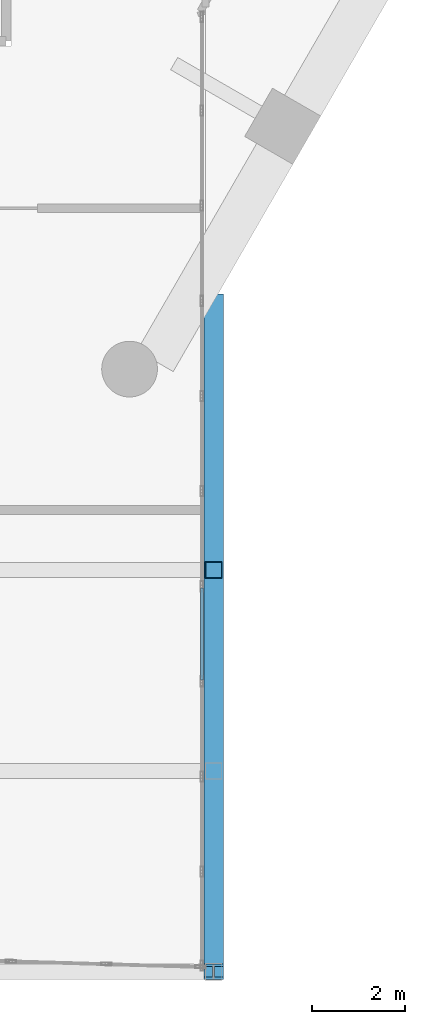
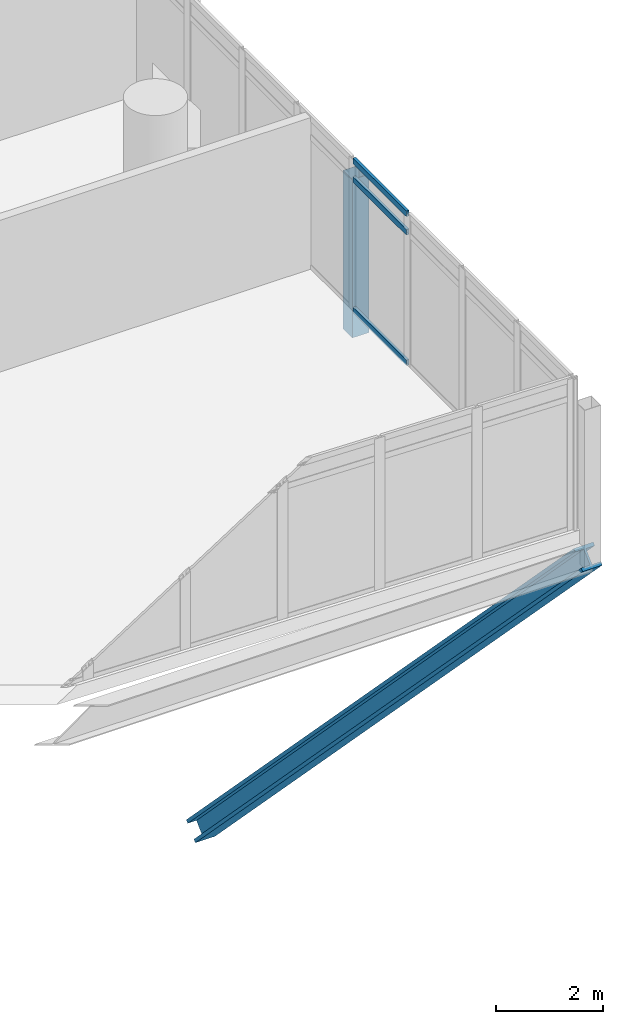
# One storey, part 13 of 37: 5 members, 1 element without a shape of its own.
"""IFC4 building model written with IfcOpenShell, lengths in metres."""

from ifc_helpers import new_model, si_unit, direction, frame, origin, origin_2d, place, context, subcontext, project, spatial, hollow_rectangle, i_section, extrude, material, material_profile, profile_set, type_object, element, aggregate, save


model = new_model("IFC4")

# Units and contexts
model_context = context("Model", 3, precision=1e-05, world=origin(), true_north=direction((0.0, 1.0)))
body_context = subcontext(model_context, "Body", "Model", "MODEL_VIEW")
ifc_project = project(units=[si_unit("LENGTHUNIT", "METRE"), si_unit("AREAUNIT", "SQUARE_METRE"), si_unit("VOLUMEUNIT", "CUBIC_METRE"), si_unit("PLANEANGLEUNIT", "RADIAN"), si_unit("MASSUNIT", "GRAM", prefix="KILO")], contexts=[model_context])

# Site, building, storey
site_placement = place(None, origin())
site = spatial("IfcSite", under=ifc_project, at=site_placement, CompositionType="ELEMENT")
building_placement = place(site_placement, origin())
building = spatial("IfcBuilding", under=site, at=building_placement, Name="Ostrander Bayou Hotel Tower", CompositionType="ELEMENT")
storey_placement = place(building_placement, frame((0.0, 0.0, 131.0)))
storey = spatial("IfcBuildingStorey", under=building, at=storey_placement, Name="L32", CompositionType="ELEMENT", Elevation=131.0)

# Curtain wall, members
ifc_material_1 = material(Name="Aluminium and clear glass", Category="aluminium")
curtain_wall_type = type_object("IfcCurtainWallType", Name="CW-BAR glazed wall", PredefinedType="NOTDEFINED", material=ifc_material_1)
curtain_wall_placement = place(storey_placement, origin())
curtain_wall = element("IfcCurtainWall", 1, at=curtain_wall_placement, inside=storey, type_object=curtain_wall_type, Name="CW-BAR L32:SB3S:W", PredefinedType="NOTDEFINED")
ifc_material_2 = material(Name="Aluminium", Category="aluminium")
ifc_material_profile_1 = material_profile(ifc_material_2, hollow_rectangle(XDim=0.06005859375, YDim=0.1298828125, WallThickness=0.00390625, at=origin_2d()))
ifc_profile_set_1 = profile_set([ifc_material_profile_1], Name="Aluminium")
member_type_1 = type_object("IfcMemberType", Name="CW-BR transom 60 x 130 mm", PredefinedType="USERDEFINED", material=ifc_profile_set_1)
member_1_placement = place(storey_placement, frame((13.3671875, -23.177490234375, 0.030029296875), z_axis=(0.0, -1.0, 0.0), x_axis=(1.0, 0.0, 0.0)))
member_1 = element("IfcMember", 2, at=member_1_placement, type_object=member_type_1, Name="CW-BAR transom 7.1", ObjectType="TRANSOM", PredefinedType="USERDEFINED", context=body_context, shape_type="SweptSolid", body=[
    extrude(hollow_rectangle(XDim=0.06005859375, YDim=0.1298828125, WallThickness=0.00390625, at=origin_2d()), origin(), (0.0, 0.0, 1.0), 1.990234375),
])
member_2_placement = place(storey_placement, frame((13.3671875, -23.177490234375, 3.0), z_axis=(0.0, -1.0, 0.0), x_axis=(1.0, 0.0, 0.0)))
member_2 = element("IfcMember", 3, at=member_2_placement, type_object=member_type_1, Name="CW-BAR transom 7.2", ObjectType="TRANSOM", PredefinedType="USERDEFINED", context=body_context, shape_type="SweptSolid", body=[
    extrude(hollow_rectangle(XDim=0.06005859375, YDim=0.1298828125, WallThickness=0.00390625, at=origin_2d()), origin(), (0.0, 0.0, 1.0), 1.990234375),
])
member_3_placement = place(storey_placement, frame((13.3671875, -23.177490234375, 3.419921875), z_axis=(0.0, -1.0, 0.0), x_axis=(1.0, 0.0, 0.0)))
member_3 = element("IfcMember", 4, at=member_3_placement, type_object=member_type_1, Name="CW-BAR transom 7.3", ObjectType="TRANSOM", PredefinedType="USERDEFINED", context=body_context, shape_type="SweptSolid", body=[
    extrude(hollow_rectangle(XDim=0.06005859375, YDim=0.1298828125, WallThickness=0.00390625, at=origin_2d()), origin(), (0.0, 0.0, 1.0), 1.990234375),
])
aggregate(curtain_wall, [member_1, member_2, member_3])

# Members
ifc_material_3 = material(Name="Steel ASTM A500 Gr C", Category="steel")
ifc_material_profile_2 = material_profile(ifc_material_3, hollow_rectangle(XDim=0.355712890625, YDim=0.355712890625, WallThickness=0.0087890625, at=origin_2d()))
ifc_profile_set_2 = profile_set([ifc_material_profile_2], Name="Steel ASTM A500 Gr C")
member_type_2 = type_object("IfcMemberType", Name="TH3 bar hanger HSS14x14x3/8", PredefinedType="POST", material=ifc_profile_set_2)
member_4_placement = place(storey_placement, frame((13.6201171875, -22.794677734375, -0.771728515625), z_axis=(0.0, 0.0, 1.0), x_axis=(1.0, 0.0, 0.0)))
element("IfcMember", 5, at=member_4_placement, inside=storey, type_object=member_type_2, Name="TH3 SB3SB H1-1", PredefinedType="POST", context=body_context, shape_type="SweptSolid", body=[
    extrude(hollow_rectangle(XDim=0.355712890625, YDim=0.355712890625, WallThickness=0.0087890625, at=origin_2d()), origin(), (0.0, 0.0, 1.0), 3.599853515625),
])
ifc_material_4 = material(Name="Steel ASTM A992", Category="steel")
ifc_material_profile_3 = material_profile(ifc_material_4, i_section(OverallWidth=0.42138671875, OverallDepth=0.464599609375, WebThickness=0.044921875, FlangeThickness=0.072509765625, at=origin_2d()))
ifc_profile_set_3 = profile_set([ifc_material_profile_3], Name="Steel ASTM A992")
member_type_3 = type_object("IfcMemberType", Name="TK1 bar kicker strut W14x398", PredefinedType="BRACE", material=ifc_profile_set_3)
member_5_placement = place(storey_placement, frame((13.6201171875, -31.449951171875, -0.671875), z_axis=(0.0, 0.695266332806, -0.718752201017), x_axis=(-1.0, 0.0, 0.0)))
element("IfcMember", 6, at=member_5_placement, inside=storey, type_object=member_type_3, Name="TK1 SB3SB kicker", PredefinedType="BRACE", context=body_context, shape_type="SweptSolid", body=[
    extrude(i_section(OverallWidth=0.42138671875, OverallDepth=0.464599609375, WebThickness=0.044921875, FlangeThickness=0.072509765625, at=origin_2d()), origin(), (0.0, 0.0, 1.0), 20.76953125),
])

save(model, "model.ifc")
